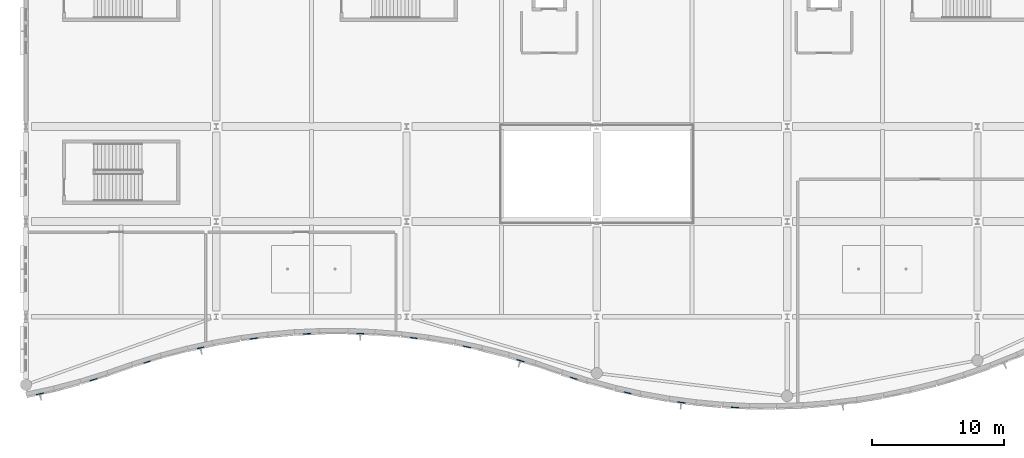
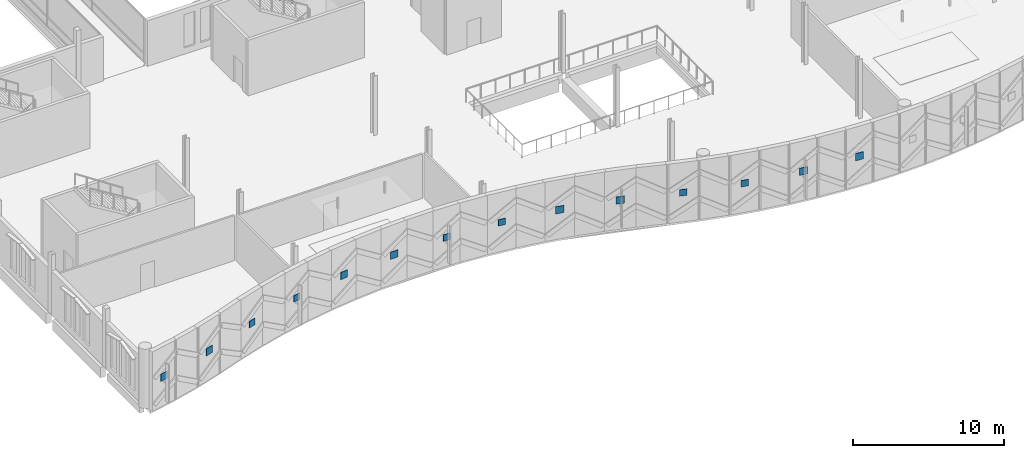
# One storey, part 135 of 220: 14 plates.
"""IFC4 building model written with IfcOpenShell, lengths in metres."""

from ifc_helpers import new_model, si_unit, direction, frame, origin, origin_2d, place, context, subcontext, project, spatial, rectangle, extrude, material, layer, layer_set, type_object, element, save


model = new_model("IFC4")

# Units and contexts
model_context = context("Model", 3, precision=1e-05, world=origin(), true_north=direction((0.0, 1.0)))
body_context = subcontext(model_context, "Body", "Model", "MODEL_VIEW")
ifc_project = project(units=[si_unit("LENGTHUNIT", "METRE"), si_unit("AREAUNIT", "SQUARE_METRE"), si_unit("VOLUMEUNIT", "CUBIC_METRE"), si_unit("PLANEANGLEUNIT", "RADIAN"), si_unit("MASSUNIT", "GRAM", prefix="KILO")], contexts=[model_context])

# Site, building, storey
site_placement = place(None, origin())
site = spatial("IfcSite", under=ifc_project, at=site_placement, CompositionType="ELEMENT")
building_placement = place(site_placement, origin())
building = spatial("IfcBuilding", under=site, at=building_placement, Name="Cendralis Lancet Convention Centre", CompositionType="ELEMENT")
storey_placement = place(building_placement, frame((0.0, 0.0, 5.39990234375)))
storey = spatial("IfcBuildingStorey", under=building, at=storey_placement, Name="L01", CompositionType="ELEMENT", Elevation=5.39990234375)

# Plates
ifc_material_1 = material(Name="Warm buff sandstone chevron cassette", Category="masonry")
ifc_layer_1 = layer(ifc_material_1, 0.044921875, Name="Warm buff sandstone chevron cassette")
ifc_layer_set_1 = layer_set([ifc_layer_1], Name="Warm buff sandstone chevron cassette")
plate_type_1 = type_object("IfcPlateType", Name="ARC-PL-CHV1", PredefinedType="SHEET", material=ifc_layer_set_1)
for number, where, z_axis, x_axis, name in (
    (1, (1.051513671875, 1.36328125, 2.090087890625), (0.0, 0.0, 1.0), (0.977397448997, 0.211410091278, 0.0), "Chevron Keystone Cassette CHV-S1 #0001"),
    (2, (17.238525390625, 5.547607421875, 2.090087890625), (0.0, 0.0, 1.0), (0.991483545633, 0.130232018867, 0.0), "Chevron Keystone Cassette CHV-S1 #0013"),
    (3, (33.378173828125, 4.9140625, 2.090087890625), (0.0, 0.0, 1.0), (0.978191124203, -0.207706823505, 0.0), "Chevron Keystone Cassette CHV-S1 #0025"),
    (4, (49.59375, 0.710205078125, 2.090087890625), (0.0, 0.0, 1.0), (0.991034573663, -0.133605665318, 0.0), "Chevron Keystone Cassette CHV-S1 #0037"),
):
    element("IfcPlate", number, at=place(storey_placement, frame(where, z_axis=z_axis, x_axis=x_axis)), inside=storey, type_object=plate_type_1, Name=name, PredefinedType="SHEET", context=body_context, shape_type="SweptSolid", body=[
        extrude(rectangle(XDim=0.580078125, YDim=0.044921875, at=origin_2d()), origin(), (0.0, 0.0, 1.0), 0.580078125),
    ])
ifc_material_2 = material(Name="Dark Andean slate chevron cassette", Category="masonry")
ifc_layer_2 = layer(ifc_material_2, 0.048095703125, Name="Dark Andean slate chevron cassette")
ifc_layer_set_2 = layer_set([ifc_layer_2], Name="Dark Andean slate chevron cassette")
plate_type_2 = type_object("IfcPlateType", Name="ARC-PL-CHV2", PredefinedType="SHEET", material=ifc_layer_set_2)
for number, where, z_axis, x_axis, name in (
    (5, (5.11767578125, 2.430908203125, 2.090087890625), (0.0, 0.0, 1.0), (0.955299004111, 0.295641358313, 0.0), "Chevron Keystone Cassette CHV-D1 #0004"),
    (6, (21.2734375, 5.904296875, 2.090087890625), (0.0, 0.0, 1.0), (0.998970569791, 0.045362988129, 0.0), "Chevron Keystone Cassette CHV-D1 #0016"),
    (7, (37.41259765625, 3.8720703125, 2.090087890625), (0.0, 0.0, 1.0), (0.95645261608, -0.29188763796, 0.0), "Chevron Keystone Cassette CHV-D1 #0028"),
    (8, (53.6591796875, 0.334716796875, 2.090087890625), (0.0, 0.0, 1.0), (0.998758784752, -0.049808532204, 0.0), "Chevron Keystone Cassette CHV-D1 #0040"),
):
    element("IfcPlate", number, at=place(storey_placement, frame(where, z_axis=z_axis, x_axis=x_axis)), inside=storey, type_object=plate_type_2, Name=name, PredefinedType="SHEET", context=body_context, shape_type="SweptSolid", body=[
        extrude(rectangle(XDim=0.580078125, YDim=0.048095703125, at=origin_2d()), origin(), (0.0, 0.0, 1.0), 0.580078125),
    ])
ifc_layer_3 = layer(ifc_material_1, 0.044921875, Name="Warm buff sandstone chevron cassette")
ifc_layer_set_3 = layer_set([ifc_layer_3], Name="Warm buff sandstone chevron cassette")
plate_type_3 = type_object("IfcPlateType", Name="ARC-PL-CHV3", PredefinedType="SHEET", material=ifc_layer_set_3)
for number, where, z_axis, x_axis, name in (
    (9, (9.168701171875, 3.7666015625, 2.1201171875), (0.0, 0.0, 1.0), (0.95431858451, 0.298790962477, 0.0), "Chevron Keystone Cassette CHV-S2 #0007"),
    (10, (25.308349609375, 5.918701171875, 2.1201171875), (0.0, 0.0, 1.0), (0.999239960688, -0.038980776845, 0.0), "Chevron Keystone Cassette CHV-S2 #0019"),
    (11, (41.46142578125, 2.5380859375, 2.1201171875), (0.0, 0.0, 1.0), (0.953106193026, -0.302636060006, 0.0), "Chevron Keystone Cassette CHV-S2 #0031"),
):
    element("IfcPlate", number, at=place(storey_placement, frame(where, z_axis=z_axis, x_axis=x_axis)), inside=storey, type_object=plate_type_3, Name=name, PredefinedType="SHEET", context=body_context, shape_type="SweptSolid", body=[
        extrude(rectangle(XDim=0.52001953125, YDim=0.044921875, at=origin_2d()), origin(), (0.0, 0.0, 1.0), 0.52001953125),
    ])
ifc_layer_4 = layer(ifc_material_2, 0.048095703125, Name="Dark Andean slate chevron cassette")
ifc_layer_set_4 = layer_set([ifc_layer_4], Name="Dark Andean slate chevron cassette")
plate_type_4 = type_object("IfcPlateType", Name="ARC-PL-CHV4", PredefinedType="SHEET", material=ifc_layer_set_4)
for number, where, z_axis, x_axis, name in (
    (12, (13.20361328125, 4.83984375, 2.1201171875), (0.0, 0.0, 1.0), (0.976717230975, 0.214530768695, 0.0), "Chevron Keystone Cassette CHV-D2 #0010"),
    (13, (29.3427734375, 5.5908203125, 2.1201171875), (0.0, 0.0, 1.0), (0.992405109755, -0.123012593387, 0.0), "Chevron Keystone Cassette CHV-D2 #0022"),
    (14, (45.527099609375, 1.43896484375, 2.1201171875), (0.0, 0.0, 1.0), (0.975878673897, -0.21831356768, 0.0), "Chevron Keystone Cassette CHV-D2 #0034"),
):
    element("IfcPlate", number, at=place(storey_placement, frame(where, z_axis=z_axis, x_axis=x_axis)), inside=storey, type_object=plate_type_4, Name=name, PredefinedType="SHEET", context=body_context, shape_type="SweptSolid", body=[
        extrude(rectangle(XDim=0.52001953125, YDim=0.048095703125, at=origin_2d()), origin(), (0.0, 0.0, 1.0), 0.52001953125),
    ])

save(model, "model.ifc")
